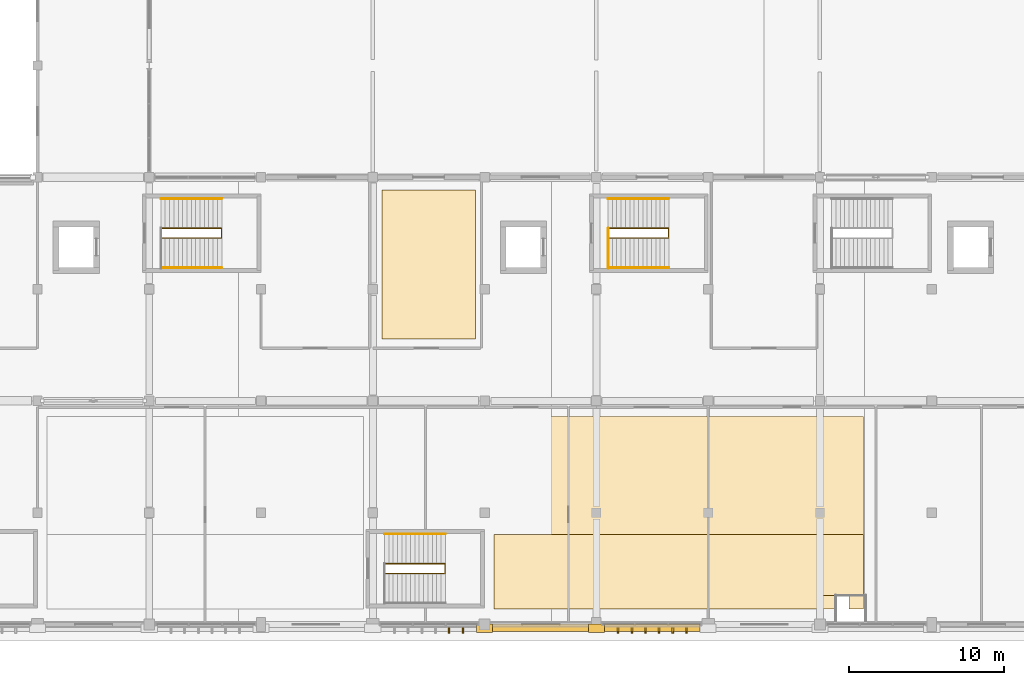
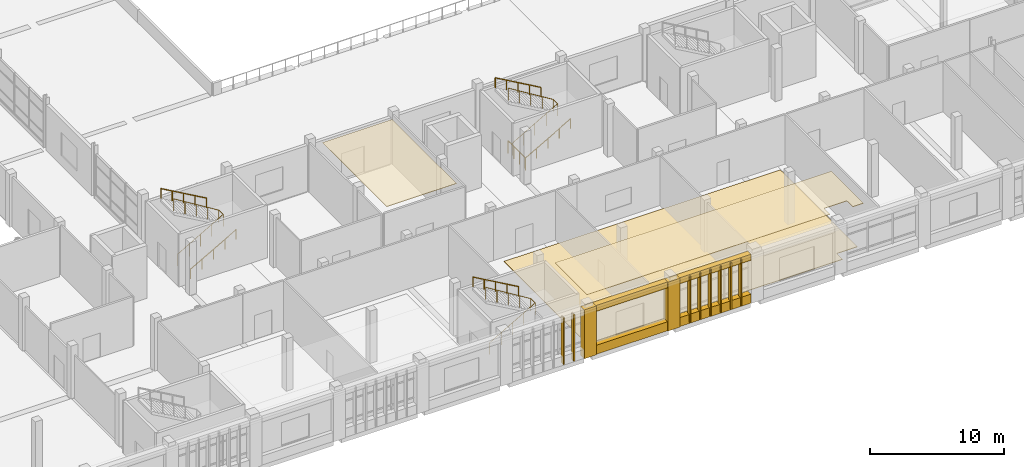
# One storey, part 69 of 82: 17 coverings, 9 railings.
"""IFC4 building model written with IfcOpenShell, lengths in metres."""

import ifcopenshell
import ifcopenshell.guid

model = None  # the IFC model being written
_history = None  # IfcOwnerHistory: only IFC2X3 demands one
_inside = {}  # id of a spatial element -> (the spatial element, [elements in it])
_under = {}  # id of a project, library or spatial element -> (it, [spatial elements below it])
_declared = {}  # id of a project -> (the project, [libraries it declares])
_typed = {}  # id of a type object -> (the type object, [elements of that type])
_made_of = {}  # id of a material, layer set ... -> (it, [elements and type objects made of it])


def new_model(schema):
    """Start an empty IFC model of exactly this schema.

    Asked for "IFC4X3", IfcOpenShell would pick the latest addendum, in which some entities
    have other attributes; the version numbers below select the first issue.
    IFC2X3 requires an IfcOwnerHistory on every rooted entity: one is made here for all.
    """
    global model, _history
    if schema == "IFC4X3":
        model = ifcopenshell.file(schema_version=(4, 3, 0, 0))
    else:
        model = ifcopenshell.file(schema=schema)
    _inside.clear()
    _under.clear()
    _declared.clear()
    _typed.clear()
    _made_of.clear()
    _history = None
    if model.schema == "IFC2X3":
        org = make("IfcOrganization", Name="unknown")
        user = make(
            "IfcPersonAndOrganization",
            ThePerson=make("IfcPerson", FamilyName="unknown"),
            TheOrganization=org,
        )
        app = make(
            "IfcApplication",
            ApplicationDeveloper=org,
            Version="unknown",
            ApplicationFullName="unknown",
            ApplicationIdentifier="unknown",
        )
        _history = make(
            "IfcOwnerHistory",
            OwningUser=user,
            OwningApplication=app,
            ChangeAction="ADDED",
            CreationDate=0,
        )
    return model


def make(cls, **values):
    """One entity of the class cls with the attributes given. An attribute that is None is left unset."""
    return model.create_entity(
        cls, **{name: value for name, value in values.items() if value is not None}
    )


def rooted(cls, **values):
    """An entity with a GlobalId (a new one), such as an element, a storey or a relation."""
    return make(cls, GlobalId=ifcopenshell.guid.new(), OwnerHistory=_history, **values)


def si_unit(unit_type, name, prefix=None):
    """IfcSIUnit, for example si_unit("LENGTHUNIT", "METRE", prefix="MILLI")."""
    return make("IfcSIUnit", UnitType=unit_type, Prefix=prefix, Name=name)


def assignment(units):
    """IfcUnitAssignment: the units of a project."""
    return None if units is None else make("IfcUnitAssignment", Units=units)


def point(xyz):
    """IfcCartesianPoint."""
    return None if xyz is None else make("IfcCartesianPoint", Coordinates=xyz)


def direction(xyz):
    """IfcDirection."""
    return None if xyz is None else make("IfcDirection", DirectionRatios=xyz)


def frame(location, z_axis=None, x_axis=None):
    """IfcAxis2Placement3D, a coordinate frame: its origin and axes. An axis left out is left unset."""
    return make(
        "IfcAxis2Placement3D",
        Location=point(location),
        Axis=direction(z_axis),
        RefDirection=direction(x_axis),
    )


def frame_2d(location, x_axis=None):
    """IfcAxis2Placement2D, a coordinate frame in the plane: its origin and x axis."""
    return make(
        "IfcAxis2Placement2D", Location=point(location), RefDirection=direction(x_axis)
    )


def origin():
    """The frame at (0, 0, 0) with its axes left unset."""
    return frame((0.0, 0.0, 0.0))


def origin_2d():
    """The frame at (0, 0) in the plane with its x axis left unset."""
    return frame_2d((0.0, 0.0))


def place(relative_to, where):
    """IfcLocalPlacement: puts the frame where relative to a parent placement (None: the world)."""
    return make(
        "IfcLocalPlacement", PlacementRelTo=relative_to, RelativePlacement=where
    )


def context(
    kind, dimensions, precision=None, world=None, true_north=None, identifier=None
):
    """IfcGeometricRepresentationContext, for example the 3D "Model" context."""
    return make(
        "IfcGeometricRepresentationContext",
        ContextIdentifier=identifier,
        ContextType=kind,
        CoordinateSpaceDimension=dimensions,
        Precision=precision,
        WorldCoordinateSystem=world,
        TrueNorth=true_north,
    )


def subcontext(parent, identifier, kind, view, scale=None):
    """IfcGeometricRepresentationSubContext, for example "Body" below "Model"."""
    return make(
        "IfcGeometricRepresentationSubContext",
        ContextIdentifier=identifier,
        ContextType=kind,
        ParentContext=parent,
        TargetScale=scale,
        TargetView=view,
    )


def project(units=None, contexts=None):
    """IfcProject with its units and contexts."""
    return rooted(
        "IfcProject",
        Name="project",
        RepresentationContexts=contexts,
        UnitsInContext=assignment(units),
    )


def spatial(cls, under=None, at=None, **own):
    """A site, building, storey or space (cls), placed at a placement, below another one or the project."""
    s = rooted(cls, ObjectPlacement=at, **own)
    if under is not None:
        _under.setdefault(under.id(), (under, []))[1].append(s)
    return s


def polyline(points):
    """IfcPolyline through the points."""
    return make("IfcPolyline", Points=[point(p) for p in points])


def profile(cls, at=None, kind="AREA", **sizes):
    """A parametric profile (cls). Its sizes go by their IFC names, for example OverallWidth=200.0."""
    return make(cls, ProfileType=kind, Position=at, **sizes)


def rectangle(**sizes):
    """IfcRectangleProfileDef."""
    return profile("IfcRectangleProfileDef", **sizes)


def circle(**sizes):
    """IfcCircleProfileDef."""
    return profile("IfcCircleProfileDef", **sizes)


def outline(outer, holes=None, kind="AREA"):
    """IfcArbitraryClosedProfileDef: a profile drawn as a closed curve; with holes, ...WithVoids."""
    if holes is None:
        return make("IfcArbitraryClosedProfileDef", ProfileType=kind, OuterCurve=outer)
    return make(
        "IfcArbitraryProfileDefWithVoids",
        ProfileType=kind,
        OuterCurve=outer,
        InnerCurves=holes,
    )


def extrude(swept, where, along, depth):
    """IfcExtrudedAreaSolid: the profile swept, set in the frame where, extruded along a direction by depth."""
    return make(
        "IfcExtrudedAreaSolid",
        SweptArea=swept,
        Position=where,
        ExtrudedDirection=direction(along),
        Depth=depth,
    )


def shape(context_of_items, identifier, shape_type, items):
    """IfcShapeRepresentation: the items that make up one representation, for example the "Body"."""
    return make(
        "IfcShapeRepresentation",
        ContextOfItems=context_of_items,
        RepresentationIdentifier=identifier,
        RepresentationType=shape_type,
        Items=items,
    )


def material(Name=None, Category=None):
    """IfcMaterial."""
    return make("IfcMaterial", Name=Name, Category=Category)


def layer(
    of_material, thickness, ventilated=None, Name=None, Category=None, Priority=None
):
    """IfcMaterialLayer: one layer of a wall or slab, of a material (None: an air gap)."""
    return make(
        "IfcMaterialLayer",
        Material=of_material,
        LayerThickness=thickness,
        IsVentilated=ventilated,
        Name=Name,
        Category=Category,
        Priority=Priority,
    )


def layer_set(layers, Name=None):
    """IfcMaterialLayerSet."""
    return make("IfcMaterialLayerSet", MaterialLayers=layers, LayerSetName=Name)


def made_of(thing, what):
    """Note that an element or type object is made of a material, layer set ...; save() writes the relation."""
    if what is not None:
        _made_of.setdefault(what.id(), (what, []))[1].append(thing)
    return thing


def type_object(cls, material=None, **own):
    """A type object (cls), such as IfcWallType, which elements share."""
    return made_of(rooted(cls, **own), material)


def element(
    cls,
    number,
    at=None,
    inside=None,
    cuts=None,
    type_object=None,
    material=None,
    context=None,
    identifier="Body",
    shape_type=None,
    held_by="IfcProductDefinitionShape",
    body=None,
    shapes=None,
    **own,
):
    """One element of the class cls, such as IfcWall. Its Tag is "e" and its number.

    at: its placement. inside: the storey or other place that contains it. cuts: it is an
    opening in that element (IfcRelVoidsElement). A single representation is given by context,
    identifier, shape_type and body (its items); several are given by shapes. held_by: the class
    of the entity that holds the representations. save() writes the other relations.
    """
    e = rooted(cls, Tag="e%d" % number, ObjectPlacement=at, **own)
    if body is not None:
        shapes = [shape(context, identifier, shape_type, body)]
    if shapes is not None:
        e.Representation = make(held_by, Representations=shapes)
    if inside is not None:
        _inside.setdefault(inside.id(), (inside, []))[1].append(e)
    if cuts is not None:
        rooted(
            "IfcRelVoidsElement", RelatingBuildingElement=cuts, RelatedOpeningElement=e
        )
    if type_object is not None:
        _typed.setdefault(type_object.id(), (type_object, []))[1].append(e)
    return made_of(e, material)


def aggregate(whole, parts):
    """IfcRelAggregates: a whole, such as a stair, and the parts it consists of."""
    return rooted("IfcRelAggregates", RelatingObject=whole, RelatedObjects=parts)


def save(model, path):
    """Write the relations noted so far, then the file.

    IfcRelAggregates (storeys below a building ...), IfcRelContainedInSpatialStructure (elements
    in a storey), IfcRelDefinesByType, IfcRelAssociatesMaterial and IfcRelDeclares: one each for
    every whole, place, type object, material and project.
    """
    for whole, parts in _under.values():
        aggregate(whole, parts)
    for where, things in _inside.values():
        rooted(
            "IfcRelContainedInSpatialStructure",
            RelatedElements=things,
            RelatingStructure=where,
        )
    for kind, things in _typed.values():
        rooted("IfcRelDefinesByType", RelatedObjects=things, RelatingType=kind)
    for what, things in _made_of.values():
        rooted("IfcRelAssociatesMaterial", RelatedObjects=things, RelatingMaterial=what)
    for by, libraries in _declared.values():
        rooted("IfcRelDeclares", RelatingContext=by, RelatedDefinitions=libraries)
    model.write(path)


model = new_model("IFC4")

# Units and contexts
model_context = context("Model", 3, precision=1e-05, world=origin(), true_north=direction((0.0, 1.0)))
body_context = subcontext(model_context, "Body", "Model", "MODEL_VIEW")
ifc_project = project(units=[si_unit("LENGTHUNIT", "METRE"), si_unit("AREAUNIT", "SQUARE_METRE"), si_unit("VOLUMEUNIT", "CUBIC_METRE"), si_unit("PLANEANGLEUNIT", "RADIAN"), si_unit("MASSUNIT", "GRAM", prefix="KILO")], contexts=[model_context])

# Site, building, storey
site_placement = place(None, origin())
site = spatial("IfcSite", under=ifc_project, at=site_placement, CompositionType="ELEMENT")
building_placement = place(site_placement, origin())
building = spatial("IfcBuilding", under=site, at=building_placement, Name="Sardonyx Promenade Sports Hall", CompositionType="ELEMENT")
storey_placement = place(building_placement, frame((0.0, 0.0, 11.199951171875)))
storey = spatial("IfcBuildingStorey", under=building, at=storey_placement, Name="L02", CompositionType="ELEMENT", Elevation=11.199951171875)

# Coverings
ifc_material_1 = material(Name="Perforated acoustic mineral-fibre baffle ceiling", Category="other")
ifc_layer_1 = layer(ifc_material_1, 0.0400390625)
ifc_layer_set_1 = layer_set([ifc_layer_1], Name="Cov_Ceil_Acoustic")
covering_type_1 = type_object("IfcCoveringType", Name="Cov_Ceil_Acoustic", PredefinedType="CEILING", material=ifc_layer_set_1)
covering_1_placement = place(storey_placement, frame((0.0, 0.0, 4.489990234375)))
element("IfcCovering", 1, at=covering_1_placement, inside=storey, type_object=covering_type_1, Name="Acoustic baffle ceiling CLG1 L02 #16", PredefinedType="CEILING", context=body_context, shape_type="SweptSolid", body=[
    extrude(outline(polyline([(51.0, 5.800048828125), (51.0, 1.0), (71.919921875, 1.0), (71.919921875, 1.7919921875), (71.92041015625, 1.798828125), (71.921630859375, 1.8076171875), (71.923828125, 1.816162109375), (71.9267578125, 1.824462890625), (71.930419921875, 1.83251953125), (71.93505859375, 1.840087890625), (71.9404296875, 1.84716796875), (71.9462890625, 1.853759765625), (71.952880859375, 1.859619140625), (71.9599609375, 1.864990234375), (71.967529296875, 1.869384765625), (71.9755859375, 1.873291015625), (71.98388671875, 1.876220703125), (71.992431640625, 1.87841796875), (72.001220703125, 1.879638671875), (72.008056640625, 1.8798828125), (73.7919921875, 1.8798828125), (73.798828125, 1.879638671875), (73.8076171875, 1.87841796875), (73.816162109375, 1.876220703125), (73.824462890625, 1.873291015625), (73.83251953125, 1.869384765625), (73.840087890625, 1.864990234375), (73.84716796875, 1.859619140625), (73.853759765625, 1.853759765625), (73.859619140625, 1.84716796875), (73.864990234375, 1.840087890625), (73.869384765625, 1.83251953125), (73.873291015625, 1.824462890625), (73.876220703125, 1.816162109375), (73.87841796875, 1.8076171875), (73.879638671875, 1.798828125), (73.8798828125, 1.7919921875), (73.880126953125, 1.0), (74.800048828125, 1.0), (74.800048828125, 5.800048828125), (51.0, 5.800048828125)])), origin(), (0.0, 0.0, 1.0), 0.0400390625),
])
covering_2_placement = place(storey_placement, frame((0.0, 0.0, 4.489990234375)))
element("IfcCovering", 2, at=covering_2_placement, inside=storey, type_object=covering_type_1, Name="Acoustic baffle ceiling CLG1 L02 #19", PredefinedType="CEILING", context=body_context, shape_type="SweptSolid", body=[
    extrude(outline(polyline([(43.800048828125, 28.0), (43.800048828125, 18.39990234375), (49.800048828125, 18.39990234375), (49.800048828125, 28.0), (43.800048828125, 28.0)])), origin(), (0.0, 0.0, 1.0), 0.0400390625),
])
ifc_material_2 = material(Name="Dressed Cape red sandstone ashlar", Category="masonry")
ifc_layer_2 = layer(ifc_material_2, 0.06005859375)
ifc_layer_set_2 = layer_set([ifc_layer_2], Name="Cov_Cladding_Sandstone")
covering_type_2 = type_object("IfcCoveringType", Name="Cov_Cladding_Sandstone", PredefinedType="CLADDING", material=ifc_layer_set_2)
covering_3_placement = place(storey_placement, origin())
element("IfcCovering", 3, at=covering_3_placement, inside=storey, type_object=covering_type_2, Name="South sandstone bay pier casing L02 #7", PredefinedType="CLADDING", context=body_context, shape_type="SweptSolid", body=[
    extrude(outline(polyline([(49.8798828125, -0.52001953125), (50.919921875, -0.52001953125), (50.919921875, 0.02001953125), (49.8798828125, 0.02001953125), (49.8798828125, -0.52001953125)])), origin(), (0.0, 0.0, 1.0), 4.449951171875),
])
covering_4_placement = place(storey_placement, origin())
element("IfcCovering", 4, at=covering_4_placement, inside=storey, type_object=covering_type_2, Name="South sandstone bay pier casing L02 #8", PredefinedType="CLADDING", context=body_context, shape_type="SweptSolid", body=[
    extrude(outline(polyline([(57.080078125, -0.52001953125), (58.1201171875, -0.52001953125), (58.1201171875, 0.02001953125), (57.080078125, 0.02001953125), (57.080078125, -0.52001953125)])), origin(), (0.0, 0.0, 1.0), 4.449951171875),
])
covering_5_placement = place(storey_placement, origin())
element("IfcCovering", 5, at=covering_5_placement, inside=storey, type_object=covering_type_2, Name="South sandstone sill spandrel L02 #14", PredefinedType="CLADDING", context=body_context, shape_type="SweptSolid", body=[
    extrude(outline(polyline([(58.1201171875, -0.4599609375), (64.280029296875, -0.4599609375), (64.280029296875, 0.02001953125), (58.1201171875, 0.02001953125), (58.1201171875, -0.4599609375)])), origin(), (0.0, 0.0, 1.0), 0.820068359375),
])
covering_6_placement = place(storey_placement, frame((0.0, 0.0, 3.900146484375)))
element("IfcCovering", 6, at=covering_6_placement, inside=storey, type_object=covering_type_2, Name="South sandstone lintel frieze L02 #14", PredefinedType="CLADDING", context=body_context, shape_type="SweptSolid", body=[
    extrude(outline(polyline([(58.1201171875, -0.4599609375), (64.280029296875, -0.4599609375), (64.280029296875, 0.02001953125), (58.1201171875, 0.02001953125), (58.1201171875, -0.4599609375)])), origin(), (0.0, 0.0, 1.0), 0.5498046875),
])
covering_7_placement = place(storey_placement, origin())
element("IfcCovering", 7, at=covering_7_placement, inside=storey, type_object=covering_type_2, Name="South sandstone sill spandrel L02 #15", PredefinedType="CLADDING", context=body_context, shape_type="SweptSolid", body=[
    extrude(outline(polyline([(50.919921875, -0.4599609375), (57.080078125, -0.4599609375), (57.080078125, 0.02001953125), (50.919921875, 0.02001953125), (50.919921875, -0.4599609375)])), origin(), (0.0, 0.0, 1.0), 0.820068359375),
])
covering_8_placement = place(storey_placement, frame((0.0, 0.0, 3.900146484375)))
element("IfcCovering", 8, at=covering_8_placement, inside=storey, type_object=covering_type_2, Name="South sandstone lintel frieze L02 #15", PredefinedType="CLADDING", context=body_context, shape_type="SweptSolid", body=[
    extrude(outline(polyline([(50.919921875, -0.4599609375), (57.080078125, -0.4599609375), (57.080078125, 0.02001953125), (50.919921875, 0.02001953125), (50.919921875, -0.4599609375)])), origin(), (0.0, 0.0, 1.0), 0.5498046875),
])
ifc_material_3 = material(Name="FIBA Grade 1 sprung maple hardwood court flooring", Category="wood")
ifc_layer_3 = layer(ifc_material_3, 0.044921875)
ifc_layer_set_3 = layer_set([ifc_layer_3], Name="Cov_Floor_Maple")
covering_type_3 = type_object("IfcCoveringType", Name="Cov_Floor_Maple", PredefinedType="FLOORING", material=ifc_layer_set_3)
covering_9_placement = place(storey_placement, origin())
element("IfcCovering", 9, at=covering_9_placement, inside=storey, type_object=covering_type_3, Name="Athletic flooring FLR1 L02 #7", PredefinedType="FLOORING", context=body_context, shape_type="SweptSolid", body=[
    extrude(outline(polyline([(51.0, 1.0), (73.0, 1.0), (73.0, 1.7919921875), (73.000244140625, 1.798828125), (73.001708984375, 1.8076171875), (73.00390625, 1.816162109375), (73.0068359375, 1.824462890625), (73.010498046875, 1.83251953125), (73.01513671875, 1.840087890625), (73.0205078125, 1.84716796875), (73.0263671875, 1.853759765625), (73.03271484375, 1.859619140625), (73.039794921875, 1.864990234375), (73.047607421875, 1.869384765625), (73.055419921875, 1.873291015625), (73.063720703125, 1.876220703125), (73.072509765625, 1.87841796875), (73.081298828125, 1.879638671875), (73.087890625, 1.8798828125), (74.800048828125, 1.8798828125), (74.800048828125, 13.39990234375), (51.0, 13.39990234375), (51.0, 1.0)])), origin(), (0.0, 0.0, 1.0), 0.045166015625),
])
ifc_material_4 = material(Name="Glulam GL28h", Category="wood")
ifc_layer_4 = layer(ifc_material_4, 0.110107421875)
ifc_layer_set_4 = layer_set([ifc_layer_4], Name="Cov_Louvre_GL28h")
covering_type_4 = type_object("IfcCoveringType", Name="Cov_Louvre_GL28h", PredefinedType="MOLDING", material=ifc_layer_set_4)
for number, where, z_axis, x_axis, name in (
    (10, (59.0, -0.3798828125, 0.10009765625), (0.0, 0.0, 1.0), (1.0, 0.0, 0.0), "Mughal jali screen mullion L02 #14-1"),
    (11, (59.8798828125, -0.3798828125, 0.10009765625), (0.0, 0.0, 1.0), (1.0, 0.0, 0.0), "Mughal jali screen mullion L02 #14-2"),
    (12, (60.760009765625, -0.3798828125, 0.10009765625), (0.0, 0.0, 1.0), (1.0, 0.0, 0.0), "Mughal jali screen mullion L02 #14-3"),
    (13, (61.639892578125, -0.3798828125, 0.10009765625), (0.0, 0.0, 1.0), (1.0, 0.0, 0.0), "Mughal jali screen mullion L02 #14-4"),
    (14, (62.52001953125, -0.3798828125, 0.10009765625), (0.0, 0.0, 1.0), (1.0, 0.0, 0.0), "Mughal jali screen mullion L02 #14-5"),
    (15, (63.39990234375, -0.3798828125, 0.10009765625), (0.0, 0.0, 1.0), (1.0, 0.0, 0.0), "Mughal jali screen mullion L02 #14-6"),
    (16, (48.1201171875, -0.3798828125, 0.10009765625), (0.0, 0.0, 1.0), (1.0, 0.0, 0.0), "Mughal jali screen mullion L02 #16-5"),
    (17, (49.0, -0.3798828125, 0.10009765625), (0.0, 0.0, 1.0), (1.0, 0.0, 0.0), "Mughal jali screen mullion L02 #16-6"),
):
    element("IfcCovering", number, at=place(storey_placement, frame(where, z_axis=z_axis, x_axis=x_axis)), inside=storey, type_object=covering_type_4, Name=name, PredefinedType="MOLDING", context=body_context, shape_type="SweptSolid", body=[
        extrude(rectangle(XDim=0.10009765625, YDim=0.360107421875, at=origin_2d()), origin(), (0.0, 0.0, 1.0), 4.25),
    ])

# Railings
ifc_material_5 = material(Name="Powder-coated Steel S355JR", Category="steel")
railing_type_1 = type_object("IfcRailingType", Name="Rail_Int_Guard_1100", PredefinedType="GUARDRAIL", material=ifc_material_5)
railing_1_placement = place(storey_placement, frame((29.550048828125, 24.885009765625, 0.16015625)))
element("IfcRailing", 18, at=railing_1_placement, inside=storey, type_object=railing_type_1, Name="Stair inner well guard ST1 L02", PredefinedType="GUARDRAIL", context=body_context, shape_type="SweptSolid", body=[
    extrude(circle(Radius=0.02392578125, at=origin_2d()), frame((0.0, 0.0, 1.09619140625), z_axis=(0.867141957756, 0.0, 0.498061065632), x_axis=(0.0, 1.0, 0.0)), (0.0, 0.0, 1.0), 4.497314453125),
    extrude(circle(Radius=0.02392578125, at=origin_2d()), frame((3.89990234375, 0.0, 3.3359375), z_axis=(0.0, 1.0, 0.0), x_axis=(-1.0, 0.0, 0.0)), (0.0, 0.0, 1.0), 0.6298828125),
    extrude(circle(Radius=0.02392578125, at=origin_2d()), frame((3.89990234375, 0.6298828125, 3.3359375), z_axis=(-0.851661977835, 0.0, 0.524091476281), x_axis=(0.0, -1.0, 0.0)), (0.0, 0.0, 1.0), 4.5791015625),
    extrude(circle(Radius=0.02099609375, at=origin_2d()), origin(), (0.0, 0.0, 1.0), 1.072021484375),
    extrude(circle(Radius=0.02099609375, at=origin_2d()), frame((0.97509765625, 0.0, 0.56005859375)), (0.0, 0.0, 1.0), 1.072021484375),
    extrude(circle(Radius=0.02099609375, at=origin_2d()), frame((1.949951171875, 0.0, 1.1201171875)), (0.0, 0.0, 1.0), 1.072021484375),
    extrude(circle(Radius=0.02099609375, at=origin_2d()), frame((2.9248046875, 0.0, 1.679931640625)), (0.0, 0.0, 1.0), 1.072021484375),
    extrude(circle(Radius=0.02099609375, at=origin_2d()), frame((3.89990234375, 0.0, 2.239990234375)), (0.0, 0.0, 1.0), 1.072021484375),
    extrude(circle(Radius=0.02099609375, at=origin_2d()), frame((3.89990234375, 0.6298828125, 2.239990234375)), (0.0, 0.0, 1.0), 1.072021484375),
    extrude(circle(Radius=0.02099609375, at=origin_2d()), frame((2.9248046875, 0.6298828125, 2.83984375)), (0.0, 0.0, 1.0), 1.072021484375),
    extrude(circle(Radius=0.02099609375, at=origin_2d()), frame((1.949951171875, 0.6298828125, 3.43994140625)), (0.0, 0.0, 1.0), 1.072021484375),
    extrude(circle(Radius=0.02099609375, at=origin_2d()), frame((0.97509765625, 0.6298828125, 4.0400390625)), (0.0, 0.0, 1.0), 1.072021484375),
    extrude(circle(Radius=0.02099609375, at=origin_2d()), frame((0.0, 0.6298828125, 4.639892578125)), (0.0, 0.0, 1.0), 1.072021484375),
])
railing_2_placement = place(storey_placement, frame((58.360107421875, 22.945068359375, 0.0)))
element("IfcRailing", 19, at=railing_2_placement, inside=storey, type_object=railing_type_1, Name="Stair floor-edge guard ST3 L02", PredefinedType="GUARDRAIL", context=body_context, shape_type="SweptSolid", body=[
    extrude(circle(Radius=0.02392578125, at=origin_2d()), frame((0.0, 0.0, 1.09619140625), z_axis=(0.0, 1.0, 0.0), x_axis=(-1.0, 0.0, 0.0)), (0.0, 0.0, 1.0), 2.56982421875),
    extrude(circle(Radius=0.02392578125, at=origin_2d()), frame((0.0, 2.56982421875, 1.09619140625), z_axis=(-1.0, 0.0, 0.0), x_axis=(0.0, -1.0, 0.0)), (0.0, 0.0, 1.0), 0.010009765625),
    extrude(circle(Radius=0.02099609375, at=origin_2d()), origin(), (0.0, 0.0, 1.0), 1.072021484375),
    extrude(circle(Radius=0.02099609375, at=origin_2d()), frame((0.0, 0.856689453125, 0.0)), (0.0, 0.0, 1.0), 1.072021484375),
    extrude(circle(Radius=0.02099609375, at=origin_2d()), frame((0.0, 1.713134765625, 0.0)), (0.0, 0.0, 1.0), 1.072021484375),
    extrude(circle(Radius=0.02099609375, at=origin_2d()), frame((0.0, 2.56982421875, 0.0)), (0.0, 0.0, 1.0), 1.072021484375),
    extrude(circle(Radius=0.02099609375, at=origin_2d()), frame((-0.010009765625, 2.56982421875, 0.0)), (0.0, 0.0, 1.0), 1.072021484375),
])
railing_3_placement = place(storey_placement, frame((58.35009765625, 24.885009765625, 0.16015625)))
element("IfcRailing", 20, at=railing_3_placement, inside=storey, type_object=railing_type_1, Name="Stair inner well guard ST3 L02", PredefinedType="GUARDRAIL", context=body_context, shape_type="SweptSolid", body=[
    extrude(circle(Radius=0.02392578125, at=origin_2d()), frame((0.0, 0.0, 1.09619140625), z_axis=(0.867141957756, 0.0, 0.498061065632), x_axis=(0.0, 1.0, 0.0)), (0.0, 0.0, 1.0), 4.497314453125),
    extrude(circle(Radius=0.02392578125, at=origin_2d()), frame((3.89990234375, 0.0, 3.3359375), z_axis=(0.0, 1.0, 0.0), x_axis=(-1.0, 0.0, 0.0)), (0.0, 0.0, 1.0), 0.6298828125),
    extrude(circle(Radius=0.02392578125, at=origin_2d()), frame((3.89990234375, 0.6298828125, 3.3359375), z_axis=(-0.851661977835, 0.0, 0.524091476281), x_axis=(0.0, -1.0, 0.0)), (0.0, 0.0, 1.0), 4.5791015625),
    extrude(circle(Radius=0.02099609375, at=origin_2d()), origin(), (0.0, 0.0, 1.0), 1.072021484375),
    extrude(circle(Radius=0.02099609375, at=origin_2d()), frame((0.97509765625, 0.0, 0.56005859375)), (0.0, 0.0, 1.0), 1.072021484375),
    extrude(circle(Radius=0.02099609375, at=origin_2d()), frame((1.949951171875, 0.0, 1.1201171875)), (0.0, 0.0, 1.0), 1.072021484375),
    extrude(circle(Radius=0.02099609375, at=origin_2d()), frame((2.9248046875, 0.0, 1.679931640625)), (0.0, 0.0, 1.0), 1.072021484375),
    extrude(circle(Radius=0.02099609375, at=origin_2d()), frame((3.89990234375, 0.0, 2.239990234375)), (0.0, 0.0, 1.0), 1.072021484375),
    extrude(circle(Radius=0.02099609375, at=origin_2d()), frame((3.89990234375, 0.6298828125, 2.239990234375)), (0.0, 0.0, 1.0), 1.072021484375),
    extrude(circle(Radius=0.02099609375, at=origin_2d()), frame((2.9248046875, 0.6298828125, 2.83984375)), (0.0, 0.0, 1.0), 1.072021484375),
    extrude(circle(Radius=0.02099609375, at=origin_2d()), frame((1.949951171875, 0.6298828125, 3.43994140625)), (0.0, 0.0, 1.0), 1.072021484375),
    extrude(circle(Radius=0.02099609375, at=origin_2d()), frame((0.97509765625, 0.6298828125, 4.0400390625)), (0.0, 0.0, 1.0), 1.072021484375),
    extrude(circle(Radius=0.02099609375, at=origin_2d()), frame((0.0, 0.6298828125, 4.639892578125)), (0.0, 0.0, 1.0), 1.072021484375),
])
railing_4_placement = place(storey_placement, frame((43.949951171875, 3.284912109375, 0.16015625)))
element("IfcRailing", 21, at=railing_4_placement, inside=storey, type_object=railing_type_1, Name="Stair inner well guard ST6 L02", PredefinedType="GUARDRAIL", context=body_context, shape_type="SweptSolid", body=[
    extrude(circle(Radius=0.02392578125, at=origin_2d()), frame((0.0, 0.0, 1.09619140625), z_axis=(0.867155422901, 0.0, 0.498037621604), x_axis=(0.0, 1.0, 0.0)), (0.0, 0.0, 1.0), 4.49755859375),
    extrude(circle(Radius=0.02392578125, at=origin_2d()), frame((3.900146484375, 0.0, 3.3359375), z_axis=(0.0, 1.0, 0.0), x_axis=(-1.0, 0.0, 0.0)), (0.0, 0.0, 1.0), 0.630126953125),
    extrude(circle(Radius=0.02392578125, at=origin_2d()), frame((3.900146484375, 0.630126953125, 3.3359375), z_axis=(-0.851676621109, 0.0, 0.524067679844), x_axis=(0.0, -1.0, 0.0)), (0.0, 0.0, 1.0), 4.579345703125),
    extrude(circle(Radius=0.02099609375, at=origin_2d()), origin(), (0.0, 0.0, 1.0), 1.072021484375),
    extrude(circle(Radius=0.02099609375, at=origin_2d()), frame((0.97509765625, 0.0, 0.56005859375)), (0.0, 0.0, 1.0), 1.072021484375),
    extrude(circle(Radius=0.02099609375, at=origin_2d()), frame((1.9501953125, 0.0, 1.1201171875)), (0.0, 0.0, 1.0), 1.072021484375),
    extrude(circle(Radius=0.02099609375, at=origin_2d()), frame((2.925048828125, 0.0, 1.679931640625)), (0.0, 0.0, 1.0), 1.072021484375),
    extrude(circle(Radius=0.02099609375, at=origin_2d()), frame((3.900146484375, 0.0, 2.239990234375)), (0.0, 0.0, 1.0), 1.072021484375),
    extrude(circle(Radius=0.02099609375, at=origin_2d()), frame((3.900146484375, 0.630126953125, 2.239990234375)), (0.0, 0.0, 1.0), 1.072021484375),
    extrude(circle(Radius=0.02099609375, at=origin_2d()), frame((2.925048828125, 0.630126953125, 2.83984375)), (0.0, 0.0, 1.0), 1.072021484375),
    extrude(circle(Radius=0.02099609375, at=origin_2d()), frame((1.9501953125, 0.630126953125, 3.43994140625)), (0.0, 0.0, 1.0), 1.072021484375),
    extrude(circle(Radius=0.02099609375, at=origin_2d()), frame((0.97509765625, 0.630126953125, 4.0400390625)), (0.0, 0.0, 1.0), 1.072021484375),
    extrude(circle(Radius=0.02099609375, at=origin_2d()), frame((0.0, 0.630126953125, 4.639892578125)), (0.0, 0.0, 1.0), 1.072021484375),
])
ifc_material_6 = material(Name="Brushed stainless steel Grade 304", Category="steel")
railing_type_2 = type_object("IfcRailingType", Name="Rail_Int_Handrail_900", PredefinedType="HANDRAIL", material=ifc_material_6)
railing_5_placement = place(storey_placement, frame((29.550048828125, 22.97509765625, 0.16015625)))
element("IfcRailing", 22, at=railing_5_placement, inside=storey, type_object=railing_type_2, Name="Stair handrail ST1 L02 F1", PredefinedType="HANDRAIL", context=body_context, shape_type="SweptSolid", body=[
    extrude(circle(Radius=0.02392578125, at=origin_2d()), frame((0.0, 0.0, 0.8759765625), z_axis=(0.868239814368, 0.0, 0.496144761885), x_axis=(0.0, 1.0, 0.0)), (0.0, 0.0, 1.0), 4.514892578125),
    extrude(circle(Radius=0.02099609375, at=origin_2d()), origin(), (0.0, 0.0, 1.0), 0.851806640625),
    extrude(circle(Radius=0.02099609375, at=origin_2d()), frame((0.97998046875, 0.0, 0.56005859375)), (0.0, 0.0, 1.0), 0.851806640625),
    extrude(circle(Radius=0.02099609375, at=origin_2d()), frame((1.9599609375, 0.0, 1.1201171875)), (0.0, 0.0, 1.0), 0.851806640625),
    extrude(circle(Radius=0.02099609375, at=origin_2d()), frame((2.93994140625, 0.0, 1.679931640625)), (0.0, 0.0, 1.0), 0.851806640625),
    extrude(circle(Radius=0.02099609375, at=origin_2d()), frame((3.919921875, 0.0, 2.239990234375)), (0.0, 0.0, 1.0), 0.851806640625),
])
railing_6_placement = place(storey_placement, frame((33.469970703125, 27.425048828125, 2.56005859375)))
element("IfcRailing", 23, at=railing_6_placement, inside=storey, type_object=railing_type_2, Name="Stair handrail ST1 L02 F2", PredefinedType="HANDRAIL", context=body_context, shape_type="SweptSolid", body=[
    extrude(circle(Radius=0.02392578125, at=origin_2d()), frame((0.0, 0.0, 0.8759765625), z_axis=(-0.868239814368, 0.0, 0.496144761885), x_axis=(0.0, -1.0, 0.0)), (0.0, 0.0, 1.0), 4.514892578125),
    extrude(circle(Radius=0.02099609375, at=origin_2d()), origin(), (0.0, 0.0, 1.0), 0.851806640625),
    extrude(circle(Radius=0.02099609375, at=origin_2d()), frame((-0.97998046875, 0.0, 0.56005859375)), (0.0, 0.0, 1.0), 0.851806640625),
    extrude(circle(Radius=0.02099609375, at=origin_2d()), frame((-1.9599609375, 0.0, 1.1201171875)), (0.0, 0.0, 1.0), 0.851806640625),
    extrude(circle(Radius=0.02099609375, at=origin_2d()), frame((-2.93994140625, 0.0, 1.679931640625)), (0.0, 0.0, 1.0), 0.851806640625),
    extrude(circle(Radius=0.02099609375, at=origin_2d()), frame((-3.919921875, 0.0, 2.239990234375)), (0.0, 0.0, 1.0), 0.851806640625),
])
railing_7_placement = place(storey_placement, frame((58.35009765625, 22.97509765625, 0.16015625)))
element("IfcRailing", 24, at=railing_7_placement, inside=storey, type_object=railing_type_2, Name="Stair handrail ST3 L02 F1", PredefinedType="HANDRAIL", context=body_context, shape_type="SweptSolid", body=[
    extrude(circle(Radius=0.02392578125, at=origin_2d()), frame((0.0, 0.0, 0.8759765625), z_axis=(0.868239814368, 0.0, 0.496144761885), x_axis=(0.0, 1.0, 0.0)), (0.0, 0.0, 1.0), 4.514892578125),
    extrude(circle(Radius=0.02099609375, at=origin_2d()), origin(), (0.0, 0.0, 1.0), 0.851806640625),
    extrude(circle(Radius=0.02099609375, at=origin_2d()), frame((0.97998046875, 0.0, 0.56005859375)), (0.0, 0.0, 1.0), 0.851806640625),
    extrude(circle(Radius=0.02099609375, at=origin_2d()), frame((1.9599609375, 0.0, 1.1201171875)), (0.0, 0.0, 1.0), 0.851806640625),
    extrude(circle(Radius=0.02099609375, at=origin_2d()), frame((2.93994140625, 0.0, 1.679931640625)), (0.0, 0.0, 1.0), 0.851806640625),
    extrude(circle(Radius=0.02099609375, at=origin_2d()), frame((3.919921875, 0.0, 2.239990234375)), (0.0, 0.0, 1.0), 0.851806640625),
])
railing_8_placement = place(storey_placement, frame((62.27001953125, 27.425048828125, 2.56005859375)))
element("IfcRailing", 25, at=railing_8_placement, inside=storey, type_object=railing_type_2, Name="Stair handrail ST3 L02 F2", PredefinedType="HANDRAIL", context=body_context, shape_type="SweptSolid", body=[
    extrude(circle(Radius=0.02392578125, at=origin_2d()), frame((0.0, 0.0, 0.8759765625), z_axis=(-0.868239814368, 0.0, 0.496144761885), x_axis=(0.0, -1.0, 0.0)), (0.0, 0.0, 1.0), 4.514892578125),
    extrude(circle(Radius=0.02099609375, at=origin_2d()), origin(), (0.0, 0.0, 1.0), 0.851806640625),
    extrude(circle(Radius=0.02099609375, at=origin_2d()), frame((-0.97998046875, 0.0, 0.56005859375)), (0.0, 0.0, 1.0), 0.851806640625),
    extrude(circle(Radius=0.02099609375, at=origin_2d()), frame((-1.9599609375, 0.0, 1.1201171875)), (0.0, 0.0, 1.0), 0.851806640625),
    extrude(circle(Radius=0.02099609375, at=origin_2d()), frame((-2.93994140625, 0.0, 1.679931640625)), (0.0, 0.0, 1.0), 0.851806640625),
    extrude(circle(Radius=0.02099609375, at=origin_2d()), frame((-3.919921875, 0.0, 2.239990234375)), (0.0, 0.0, 1.0), 0.851806640625),
])
railing_9_placement = place(storey_placement, frame((47.8701171875, 5.824951171875, 2.56005859375)))
element("IfcRailing", 26, at=railing_9_placement, inside=storey, type_object=railing_type_2, Name="Stair handrail ST6 L02 F2", PredefinedType="HANDRAIL", context=body_context, shape_type="SweptSolid", body=[
    extrude(circle(Radius=0.02392578125, at=origin_2d()), frame((0.0, 0.0, 0.8759765625), z_axis=(-0.86825312469, 0.0, 0.496121468458), x_axis=(0.0, -1.0, 0.0)), (0.0, 0.0, 1.0), 4.514892578125),
    extrude(circle(Radius=0.02099609375, at=origin_2d()), origin(), (0.0, 0.0, 1.0), 0.851806640625),
    extrude(circle(Radius=0.02099609375, at=origin_2d()), frame((-0.97998046875, 0.0, 0.56005859375)), (0.0, 0.0, 1.0), 0.851806640625),
    extrude(circle(Radius=0.02099609375, at=origin_2d()), frame((-1.9599609375, 0.0, 1.1201171875)), (0.0, 0.0, 1.0), 0.851806640625),
    extrude(circle(Radius=0.02099609375, at=origin_2d()), frame((-2.940185546875, 0.0, 1.679931640625)), (0.0, 0.0, 1.0), 0.851806640625),
    extrude(circle(Radius=0.02099609375, at=origin_2d()), frame((-3.920166015625, 0.0, 2.239990234375)), (0.0, 0.0, 1.0), 0.851806640625),
])

save(model, "model.ifc")
